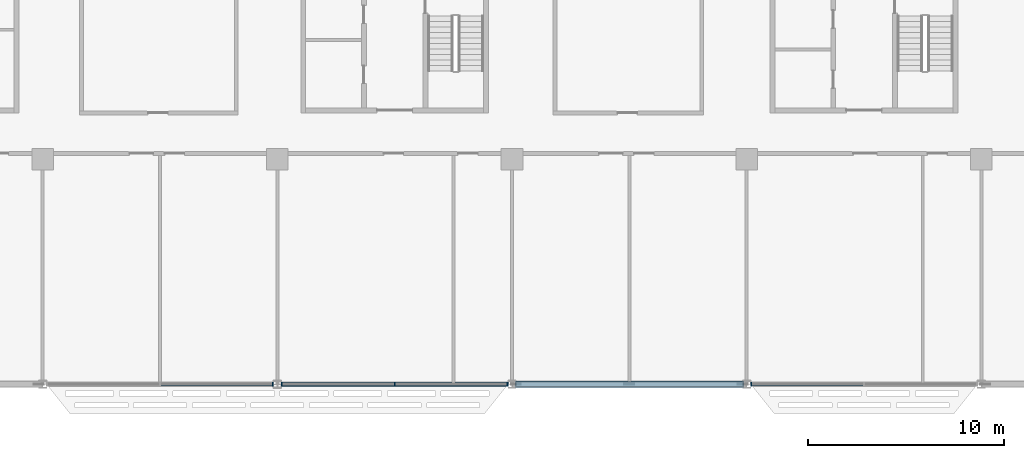
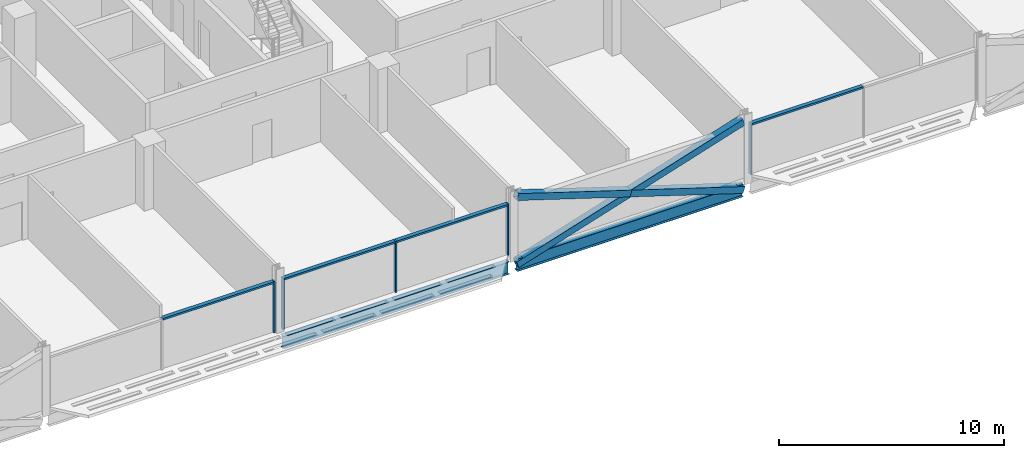
# One storey, part 6 of 29: 12 members, 2 beams, 3 elements without a shape of their own.
"""IFC4 building model written with IfcOpenShell, lengths in metres."""

from ifc_helpers import new_model, si_unit, direction, frame, origin, origin_2d, place, context, subcontext, project, spatial, rectangle, hollow_rectangle, i_section, extrude, material, material_profile, profile_set, type_object, element, aggregate, save


model = new_model("IFC4")

# Units and contexts
model_context = context("Model", 3, precision=1e-05, world=origin(), true_north=direction((0.0, 1.0)))
body_context = subcontext(model_context, "Body", "Model", "MODEL_VIEW")
ifc_project = project(units=[si_unit("LENGTHUNIT", "METRE"), si_unit("AREAUNIT", "SQUARE_METRE"), si_unit("VOLUMEUNIT", "CUBIC_METRE"), si_unit("PLANEANGLEUNIT", "RADIAN"), si_unit("MASSUNIT", "GRAM", prefix="KILO")], contexts=[model_context])

# Site, building, storey
site_placement = place(None, origin())
site = spatial("IfcSite", under=ifc_project, at=site_placement, CompositionType="ELEMENT")
building_placement = place(site_placement, origin())
building = spatial("IfcBuilding", under=site, at=building_placement, Name="Mahtab Terrace Research Tower", CompositionType="ELEMENT")
storey_placement = place(building_placement, frame((0.0, 0.0, 197.699951171875)))
storey = spatial("IfcBuildingStorey", under=building, at=storey_placement, Name="L47", CompositionType="ELEMENT", Elevation=197.699951171875)

# Members
ifc_material_1 = material(Name="Steel ASTM A500 Gr C", Category="steel")
ifc_material_profile_1 = material_profile(ifc_material_1, hollow_rectangle(XDim=0.355712890625, YDim=0.355712890625, WallThickness=0.015869140625, at=origin_2d()), Name="HSS14X14X5/8")
ifc_profile_set_1 = profile_set([ifc_material_profile_1], Name="Steel ASTM A500 Gr C")
member_type_1 = type_object("IfcMemberType", Name="HSS 14x14x5/8 brace XB141458", PredefinedType="BRACE", material=ifc_profile_set_1)
member_1_placement = place(storey_placement, frame((6.20068359375, -23.0, -0.615478515625), z_axis=(0.953343380425, 0.0, 0.301888057067), x_axis=(0.0, 1.0, 0.0)))
element("IfcMember", 1, at=member_1_placement, inside=storey, type_object=member_type_1, Name="Exoskeleton brace L47 17 a", PredefinedType="BRACE", context=body_context, shape_type="SweptSolid", body=[
    extrude(hollow_rectangle(XDim=0.355712890625, YDim=0.355712890625, WallThickness=0.015869140625, at=origin_2d()), origin(), (0.0, 0.0, 1.0), 12.166259765625),
])
for number, where, z_axis, x_axis, name in (
    (2, (17.79931640625, -23.0, -0.615478515625), (-0.953343380425, 0.0, 0.301888057067), (0.0, -1.0, 0.0), "Exoskeleton brace L47 17 b1"),
    (3, (12.0, -23.0, 1.220947265625), (-0.953343380425, 0.0, 0.301888057067), (0.0, -1.0, 0.0), "Exoskeleton brace L47 17 b2"),
):
    element("IfcMember", number, at=place(storey_placement, frame(where, z_axis=z_axis, x_axis=x_axis)), inside=storey, type_object=member_type_1, Name=name, PredefinedType="BRACE", context=body_context, shape_type="SweptSolid", body=[
        extrude(hollow_rectangle(XDim=0.355712890625, YDim=0.355712890625, WallThickness=0.015869140625, at=origin_2d()), origin(), (0.0, 0.0, 1.0), 6.083251953125),
    ])

# Curtain wall, member
ifc_material_2 = material(Name="Laboratory ribbon curtain wall")
curtain_wall_type = type_object("IfcCurtainWallType", Name="Laboratory ribbon curtain wall", PredefinedType="NOTDEFINED", material=ifc_material_2)
curtain_wall_1_placement = place(storey_placement, origin())
curtain_wall_1 = element("IfcCurtainWall", 4, at=curtain_wall_1_placement, inside=storey, type_object=curtain_wall_type, Name="EN.L47.13.25", PredefinedType="NOTDEFINED")
ifc_material_3 = material(Name="Natural anodised aluminium", Category="aluminium")
ifc_material_profile_2 = material_profile(ifc_material_3, rectangle(XDim=0.199951171875, YDim=0.06494140625, at=origin_2d()), Name="MULLION 65x200")
ifc_profile_set_2 = profile_set([ifc_material_profile_2], Name="Natural anodised aluminium")
member_type_2 = type_object("IfcMemberType", Name="Laboratory ribbon curtain wall mullion", PredefinedType="MULLION", material=ifc_profile_set_2)
member_2_placement = place(storey_placement, frame((-6.232421875, -23.0, 0.0), z_axis=(0.0, 0.0, 1.0), x_axis=(0.0, 1.0, 0.0)))
member_2 = element("IfcMember", 5, at=member_2_placement, type_object=member_type_2, Name="CWL-6 mullion 3", PredefinedType="MULLION", context=body_context, shape_type="SweptSolid", body=[
    extrude(rectangle(XDim=0.199951171875, YDim=0.06494140625, at=origin_2d()), origin(), (0.0, 0.0, 1.0), 2.78173828125),
])

# Curtain wall, members
curtain_wall_2_placement = place(storey_placement, origin())
curtain_wall_2 = element("IfcCurtainWall", 6, at=curtain_wall_2_placement, inside=storey, type_object=curtain_wall_type, Name="EN.L47.13.26", PredefinedType="NOTDEFINED")
member_3_placement = place(storey_placement, frame((-5.767578125, -23.0, 0.0), z_axis=(0.0, 0.0, 1.0), x_axis=(0.0, 1.0, 0.0)))
member_3 = element("IfcMember", 7, at=member_3_placement, type_object=member_type_2, Name="CWL-6 mullion 1", PredefinedType="MULLION", context=body_context, shape_type="SweptSolid", body=[
    extrude(rectangle(XDim=0.199951171875, YDim=0.06494140625, at=origin_2d()), origin(), (0.0, 0.0, 1.0), 2.78173828125),
])
member_4_placement = place(storey_placement, frame((0.0, -23.0, 0.0), z_axis=(0.0, 0.0, 1.0), x_axis=(0.0, 1.0, 0.0)))
member_4 = element("IfcMember", 8, at=member_4_placement, type_object=member_type_2, Name="CWL-6 mullion 2", PredefinedType="MULLION", context=body_context, shape_type="SweptSolid", body=[
    extrude(rectangle(XDim=0.199951171875, YDim=0.06494140625, at=origin_2d()), origin(), (0.0, 0.0, 1.0), 2.78173828125),
])
member_5_placement = place(storey_placement, frame((5.767578125, -23.0, 0.0), z_axis=(0.0, 0.0, 1.0), x_axis=(0.0, 1.0, 0.0)))
member_5 = element("IfcMember", 9, at=member_5_placement, type_object=member_type_2, Name="CWL-6 mullion 3", PredefinedType="MULLION", context=body_context, shape_type="SweptSolid", body=[
    extrude(rectangle(XDim=0.199951171875, YDim=0.06494140625, at=origin_2d()), origin(), (0.0, 0.0, 1.0), 2.78173828125),
])

# Curtain wall, member
curtain_wall_3_placement = place(storey_placement, origin())
curtain_wall_3 = element("IfcCurtainWall", 10, at=curtain_wall_3_placement, inside=storey, type_object=curtain_wall_type, Name="EN.L47.13.28", PredefinedType="NOTDEFINED")
member_6_placement = place(storey_placement, frame((18.232421875, -23.0, 0.0), z_axis=(0.0, 0.0, 1.0), x_axis=(0.0, 1.0, 0.0)))
member_6 = element("IfcMember", 11, at=member_6_placement, type_object=member_type_2, Name="CWL-6 mullion 1", PredefinedType="MULLION", context=body_context, shape_type="SweptSolid", body=[
    extrude(rectangle(XDim=0.199951171875, YDim=0.06494140625, at=origin_2d()), origin(), (0.0, 0.0, 1.0), 2.78173828125),
])

# Member
ifc_material_profile_3 = material_profile(ifc_material_3, rectangle(XDim=0.199951171875, YDim=0.10009765625, at=origin_2d()), Name="TRANSOM 100x200")
ifc_profile_set_3 = profile_set([ifc_material_profile_3], Name="Natural anodised aluminium")
member_type_3 = type_object("IfcMemberType", Name="Laboratory ribbon curtain wall transom", PredefinedType="USERDEFINED", material=ifc_profile_set_3)
member_7_placement = place(storey_placement, frame((-11.967529296875, -23.0, 2.73193359375), z_axis=(1.0, 0.0, 0.0), x_axis=(0.0, 1.0, 0.0)))
member_7 = element("IfcMember", 12, at=member_7_placement, type_object=member_type_3, Name="CWL-6 transom 2", ObjectType="TRANSOM", PredefinedType="USERDEFINED", context=body_context, shape_type="SweptSolid", body=[
    extrude(rectangle(XDim=0.199951171875, YDim=0.10009765625, at=origin_2d()), origin(), (0.0, 0.0, 1.0), 5.70263671875),
])

aggregate(curtain_wall_1, [member_2, member_7])

member_8_placement = place(storey_placement, frame((-5.735107421875, -23.0, 2.73193359375), z_axis=(1.0, 0.0, 0.0), x_axis=(0.0, 1.0, 0.0)))
member_8 = element("IfcMember", 13, at=member_8_placement, type_object=member_type_3, Name="CWL-6 transom 1", ObjectType="TRANSOM", PredefinedType="USERDEFINED", context=body_context, shape_type="SweptSolid", body=[
    extrude(rectangle(XDim=0.199951171875, YDim=0.10009765625, at=origin_2d()), origin(), (0.0, 0.0, 1.0), 5.70263671875),
])

member_9_placement = place(storey_placement, frame((0.032470703125, -23.0, 2.73193359375), z_axis=(1.0, 0.0, 0.0), x_axis=(0.0, 1.0, 0.0)))
member_9 = element("IfcMember", 14, at=member_9_placement, type_object=member_type_3, Name="CWL-6 transom 2", ObjectType="TRANSOM", PredefinedType="USERDEFINED", context=body_context, shape_type="SweptSolid", body=[
    extrude(rectangle(XDim=0.199951171875, YDim=0.10009765625, at=origin_2d()), origin(), (0.0, 0.0, 1.0), 5.70263671875),
])

aggregate(curtain_wall_2, [member_3, member_4, member_5, member_8, member_9])

member_10_placement = place(storey_placement, frame((18.264892578125, -23.0, 2.73193359375), z_axis=(1.0, 0.0, 0.0), x_axis=(0.0, 1.0, 0.0)))
member_10 = element("IfcMember", 15, at=member_10_placement, type_object=member_type_3, Name="CWL-6 transom 1", ObjectType="TRANSOM", PredefinedType="USERDEFINED", context=body_context, shape_type="SweptSolid", body=[
    extrude(rectangle(XDim=0.199951171875, YDim=0.10009765625, at=origin_2d()), origin(), (0.0, 0.0, 1.0), 5.70263671875),
])

aggregate(curtain_wall_3, [member_6, member_10])

# Beams
ifc_material_4 = material(Name="Steel ASTM A992 Gr 50", Category="steel")
ifc_material_profile_4 = material_profile(ifc_material_4, i_section(OverallWidth=0.25390625, OverallDepth=0.67822265625, WebThickness=0.01171875, FlangeThickness=0.016357421875, at=origin_2d()), Name="W27X84")
ifc_profile_set_4 = profile_set([ifc_material_profile_4], Name="Steel ASTM A992 Gr 50")
beam_type = type_object("IfcBeamType", Name="W27x84 beam BS2784", PredefinedType="BEAM", material=ifc_profile_set_4)
for number, where, z_axis, x_axis, name in (
    (16, (-5.79931640625, -23.0, -0.678955078125), (1.0, 0.0, 0.0), (0.0, 1.0, 0.0), "Spandrel beam L47 16"),
    (17, (6.20068359375, -23.0, -0.678955078125), (1.0, 0.0, 0.0), (0.0, 1.0, 0.0), "Spandrel beam L47 17"),
):
    element("IfcBeam", number, at=place(storey_placement, frame(where, z_axis=z_axis, x_axis=x_axis)), inside=storey, type_object=beam_type, Name=name, PredefinedType="BEAM", context=body_context, shape_type="SweptSolid", body=[
        extrude(i_section(OverallWidth=0.25390625, OverallDepth=0.67822265625, WebThickness=0.01171875, FlangeThickness=0.016357421875, at=origin_2d()), origin(), (0.0, 0.0, 1.0), 11.5986328125),
    ])

save(model, "model.ifc")
